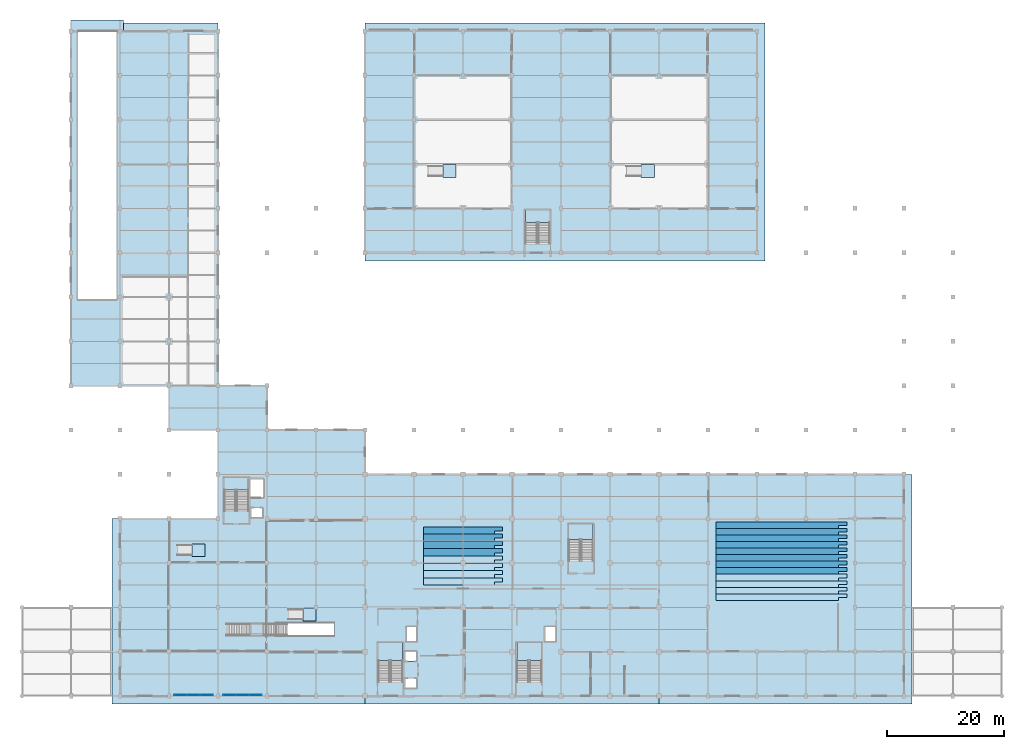
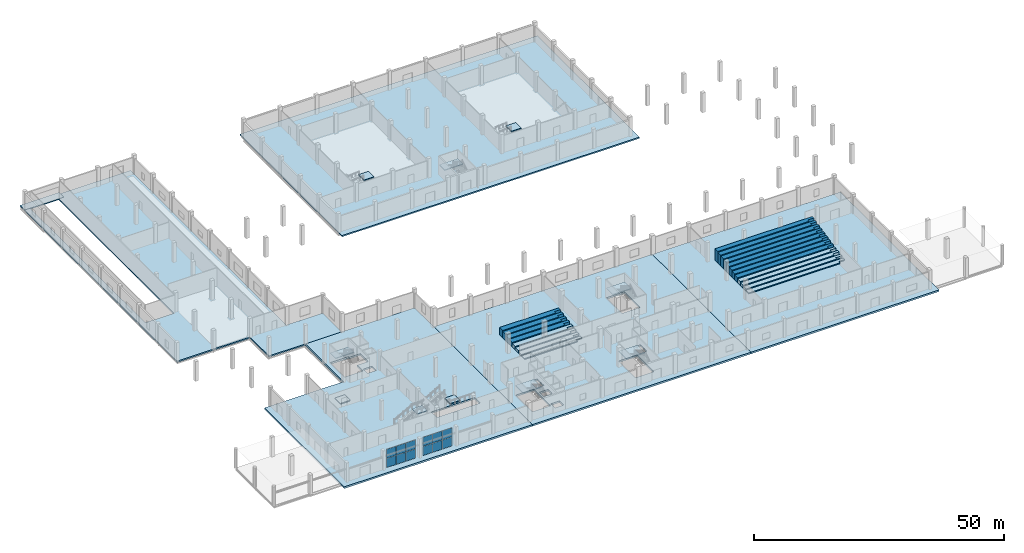
# One storey, part 11 of 36: 36 slabs, 12 plates, 8 elements without a shape of their own.
"""IFC4 building model written with IfcOpenShell, lengths in metres."""

from ifc_helpers import new_model, si_unit, direction, frame, origin, origin_2d, place, context, subcontext, project, spatial, polyline, rectangle, outline, extrude, material, layer, layer_set, type_object, element, aggregate, save


model = new_model("IFC4")

# Units and contexts
model_context = context("Model", 3, precision=1e-05, world=origin(), true_north=direction((0.0, 1.0)))
body_context = subcontext(model_context, "Body", "Model", "MODEL_VIEW")
ifc_project = project(units=[si_unit("LENGTHUNIT", "METRE"), si_unit("AREAUNIT", "SQUARE_METRE"), si_unit("VOLUMEUNIT", "CUBIC_METRE"), si_unit("PLANEANGLEUNIT", "RADIAN"), si_unit("MASSUNIT", "GRAM", prefix="KILO")], contexts=[model_context])

# Site, building, storey
site_placement = place(None, origin())
site = spatial("IfcSite", under=ifc_project, at=site_placement, CompositionType="ELEMENT")
building_placement = place(site_placement, origin())
building = spatial("IfcBuilding", under=site, at=building_placement, Name="Zuvorla Pavilion Media Centre", CompositionType="ELEMENT")
storey_placement = place(building_placement, origin())
storey = spatial("IfcBuildingStorey", under=building, at=storey_placement, Name="L00", CompositionType="ELEMENT", Elevation=0.0)

# Curtain wall, plates
ifc_material_1 = material(Name="Unitised anodised aluminium and solar glass curtain wall", Category="aluminium")
curtain_wall_type = type_object("IfcCurtainWallType", Name="CW-SYS-85", PredefinedType="USERDEFINED", material=ifc_material_1)
curtain_wall_1_placement = place(storey_placement, origin())
curtain_wall_1 = element("IfcCurtainWall", 1, at=curtain_wall_1_placement, inside=storey, type_object=curtain_wall_type, Name="L00 curtain wall CW85 194", ObjectType="CURTAIN WALL", PredefinedType="USERDEFINED")
ifc_material_2 = material(Name="Acoustic laminated solar glazing", Category="glass")
ifc_layer_1 = layer(ifc_material_2, 0.033935546875)
ifc_layer_set_1 = layer_set([ifc_layer_1], Name="Acoustic laminated solar glazing")
plate_type = type_object("IfcPlateType", Name="CW-PNL-34", PredefinedType="CURTAIN_PANEL", material=ifc_layer_set_1)
plate_1_placement = place(storey_placement, frame((35.173828125, 6.159912109375, 0.02978515625), z_axis=(0.0, 0.0, 1.0), x_axis=(1.0, 0.0, 0.0)))
plate_1 = element("IfcPlate", 2, at=plate_1_placement, type_object=plate_type, Name="CW85 panel 1.1", PredefinedType="CURTAIN_PANEL", context=body_context, shape_type="SweptSolid", body=[
    extrude(rectangle(XDim=2.166015625, YDim=0.033935546875, at=origin_2d()), origin(), (0.0, 0.0, 1.0), 2.199951171875),
])
plate_2_placement = place(storey_placement, frame((35.173828125, 6.159912109375, 2.2900390625), z_axis=(0.0, 0.0, 1.0), x_axis=(1.0, 0.0, 0.0)))
plate_2 = element("IfcPlate", 3, at=plate_2_placement, type_object=plate_type, Name="CW85 panel 1.2", PredefinedType="CURTAIN_PANEL", context=body_context, shape_type="SweptSolid", body=[
    extrude(rectangle(XDim=2.166015625, YDim=0.033935546875, at=origin_2d()), origin(), (0.0, 0.0, 1.0), 2.199951171875),
])
plate_3_placement = place(storey_placement, frame((37.39990234375, 6.159912109375, 0.02978515625), z_axis=(0.0, 0.0, 1.0), x_axis=(1.0, 0.0, 0.0)))
plate_3 = element("IfcPlate", 4, at=plate_3_placement, type_object=plate_type, Name="CW85 panel 2.1", PredefinedType="CURTAIN_PANEL", context=body_context, shape_type="SweptSolid", body=[
    extrude(rectangle(XDim=2.166015625, YDim=0.033935546875, at=origin_2d()), origin(), (0.0, 0.0, 1.0), 2.199951171875),
])
plate_4_placement = place(storey_placement, frame((37.39990234375, 6.159912109375, 2.2900390625), z_axis=(0.0, 0.0, 1.0), x_axis=(1.0, 0.0, 0.0)))
plate_4 = element("IfcPlate", 5, at=plate_4_placement, type_object=plate_type, Name="CW85 panel 2.2", PredefinedType="CURTAIN_PANEL", context=body_context, shape_type="SweptSolid", body=[
    extrude(rectangle(XDim=2.166015625, YDim=0.033935546875, at=origin_2d()), origin(), (0.0, 0.0, 1.0), 2.199951171875),
])
plate_5_placement = place(storey_placement, frame((39.626220703125, 6.159912109375, 0.02978515625), z_axis=(0.0, 0.0, 1.0), x_axis=(1.0, 0.0, 0.0)))
plate_5 = element("IfcPlate", 6, at=plate_5_placement, type_object=plate_type, Name="CW85 panel 3.1", PredefinedType="CURTAIN_PANEL", context=body_context, shape_type="SweptSolid", body=[
    extrude(rectangle(XDim=2.166015625, YDim=0.033935546875, at=origin_2d()), origin(), (0.0, 0.0, 1.0), 2.199951171875),
])
plate_6_placement = place(storey_placement, frame((39.626220703125, 6.159912109375, 2.2900390625), z_axis=(0.0, 0.0, 1.0), x_axis=(1.0, 0.0, 0.0)))
plate_6 = element("IfcPlate", 7, at=plate_6_placement, type_object=plate_type, Name="CW85 panel 3.2", PredefinedType="CURTAIN_PANEL", context=body_context, shape_type="SweptSolid", body=[
    extrude(rectangle(XDim=2.166015625, YDim=0.033935546875, at=origin_2d()), origin(), (0.0, 0.0, 1.0), 2.199951171875),
])
aggregate(curtain_wall_1, [plate_1, plate_2, plate_3, plate_4, plate_5, plate_6])

curtain_wall_2_placement = place(storey_placement, origin())
curtain_wall_2 = element("IfcCurtainWall", 8, at=curtain_wall_2_placement, inside=storey, type_object=curtain_wall_type, Name="L00 curtain wall CW85 195", ObjectType="CURTAIN WALL", PredefinedType="USERDEFINED")
plate_7_placement = place(storey_placement, frame((43.573974609375, 6.159912109375, 0.02978515625), z_axis=(0.0, 0.0, 1.0), x_axis=(1.0, 0.0, 0.0)))
plate_7 = element("IfcPlate", 9, at=plate_7_placement, type_object=plate_type, Name="CW85 panel 1.1", PredefinedType="CURTAIN_PANEL", context=body_context, shape_type="SweptSolid", body=[
    extrude(rectangle(XDim=2.166015625, YDim=0.033935546875, at=origin_2d()), origin(), (0.0, 0.0, 1.0), 2.199951171875),
])
plate_8_placement = place(storey_placement, frame((43.573974609375, 6.159912109375, 2.2900390625), z_axis=(0.0, 0.0, 1.0), x_axis=(1.0, 0.0, 0.0)))
plate_8 = element("IfcPlate", 10, at=plate_8_placement, type_object=plate_type, Name="CW85 panel 1.2", PredefinedType="CURTAIN_PANEL", context=body_context, shape_type="SweptSolid", body=[
    extrude(rectangle(XDim=2.166015625, YDim=0.033935546875, at=origin_2d()), origin(), (0.0, 0.0, 1.0), 2.199951171875),
])
plate_9_placement = place(storey_placement, frame((45.800048828125, 6.159912109375, 0.02978515625), z_axis=(0.0, 0.0, 1.0), x_axis=(1.0, 0.0, 0.0)))
plate_9 = element("IfcPlate", 11, at=plate_9_placement, type_object=plate_type, Name="CW85 panel 2.1", PredefinedType="CURTAIN_PANEL", context=body_context, shape_type="SweptSolid", body=[
    extrude(rectangle(XDim=2.166015625, YDim=0.033935546875, at=origin_2d()), origin(), (0.0, 0.0, 1.0), 2.199951171875),
])
plate_10_placement = place(storey_placement, frame((45.800048828125, 6.159912109375, 2.2900390625), z_axis=(0.0, 0.0, 1.0), x_axis=(1.0, 0.0, 0.0)))
plate_10 = element("IfcPlate", 12, at=plate_10_placement, type_object=plate_type, Name="CW85 panel 2.2", PredefinedType="CURTAIN_PANEL", context=body_context, shape_type="SweptSolid", body=[
    extrude(rectangle(XDim=2.166015625, YDim=0.033935546875, at=origin_2d()), origin(), (0.0, 0.0, 1.0), 2.199951171875),
])
plate_11_placement = place(storey_placement, frame((48.026123046875, 6.159912109375, 0.02978515625), z_axis=(0.0, 0.0, 1.0), x_axis=(1.0, 0.0, 0.0)))
plate_11 = element("IfcPlate", 13, at=plate_11_placement, type_object=plate_type, Name="CW85 panel 3.1", PredefinedType="CURTAIN_PANEL", context=body_context, shape_type="SweptSolid", body=[
    extrude(rectangle(XDim=2.166015625, YDim=0.033935546875, at=origin_2d()), origin(), (0.0, 0.0, 1.0), 2.199951171875),
])
plate_12_placement = place(storey_placement, frame((48.026123046875, 6.159912109375, 2.2900390625), z_axis=(0.0, 0.0, 1.0), x_axis=(1.0, 0.0, 0.0)))
plate_12 = element("IfcPlate", 14, at=plate_12_placement, type_object=plate_type, Name="CW85 panel 3.2", PredefinedType="CURTAIN_PANEL", context=body_context, shape_type="SweptSolid", body=[
    extrude(rectangle(XDim=2.166015625, YDim=0.033935546875, at=origin_2d()), origin(), (0.0, 0.0, 1.0), 2.199951171875),
])
aggregate(curtain_wall_2, [plate_7, plate_8, plate_9, plate_10, plate_11, plate_12])

# Slabs
ifc_material_3 = material(Name="Precast concrete C40/50", Category="concrete")
ifc_layer_2 = layer(ifc_material_3, 0.239990234375)
ifc_layer_set_2 = layer_set([ifc_layer_2], Name="Precast concrete C40/50")
slab_type_1 = type_object("IfcSlabType", Name="SLB-DECK-240", PredefinedType="FLOOR", material=ifc_layer_set_2)
slab_1_placement = place(storey_placement, frame((0.0, 0.0, -0.239990234375)))
element("IfcSlab", 15, at=slab_1_placement, inside=storey, type_object=slab_type_1, Name="L00 floor slab APRON", PredefinedType="FLOOR", context=body_context, shape_type="SweptSolid", body=[
    extrude(outline(polyline([(25.39990234375, 120.0), (25.39990234375, 121.89990234375), (16.39990234375, 121.89990234375), (16.39990234375, 120.0), (25.39990234375, 120.0)])), origin(), (0.0, 0.0, 1.0), 0.239990234375),
])
ifc_material_4 = material(Name="Concrete C40/50", Category="concrete")
ifc_layer_3 = layer(ifc_material_4, 0.320068359375)
ifc_layer_set_3 = layer_set([ifc_layer_3], Name="Concrete C40/50")
slab_type_2 = type_object("IfcSlabType", Name="SLB-FLR-320", PredefinedType="FLOOR", material=ifc_layer_set_3)
slab_2_placement = place(storey_placement, frame((0.0, 0.0, -0.320068359375)))
element("IfcSlab", 16, at=slab_2_placement, inside=storey, type_object=slab_type_2, Name="L00 floor slab NW", PredefinedType="FLOOR", context=body_context, shape_type="SweptSolid", body=[
    extrude(outline(polyline([(50.0, 59.199951171875), (50.0, 51.60009765625), (33.199951171875, 51.60009765625), (33.199951171875, 59.199951171875), (16.39990234375, 59.199951171875), (16.39990234375, 120.0), (17.60009765625, 120.0), (17.60009765625, 74.0), (24.199951171875, 74.0), (24.199951171875, 120.0), (25.39990234375, 120.0), (25.39990234375, 121.39990234375), (41.60009765625, 121.39990234375), (41.60009765625, 59.199951171875), (50.0, 59.199951171875)])), origin(), (0.0, 0.0, 1.0), 0.320068359375),
])
slab_3_placement = place(storey_placement, frame((0.0, 0.0, -0.320068359375)))
element("IfcSlab", 17, at=slab_3_placement, inside=storey, type_object=slab_type_2, Name="L00 floor slab NB", PredefinedType="FLOOR", context=body_context, shape_type="SweptSolid", body=[
    extrude(outline(polyline([(135.39990234375, 80.60009765625), (135.39990234375, 121.39990234375), (66.800048828125, 121.39990234375), (66.800048828125, 80.60009765625), (135.39990234375, 80.60009765625)])), origin(), (0.0, 0.0, 1.0), 0.320068359375),
])
ifc_layer_4 = layer(ifc_material_4, 0.419921875)
ifc_layer_set_4 = layer_set([ifc_layer_4], Name="Concrete C40/50")
slab_type_3 = type_object("IfcSlabType", Name="SLB-FLR-400", PredefinedType="FLOOR", material=ifc_layer_set_4)
slab_4_placement = place(storey_placement, frame((0.0, 0.0, -0.419921875)))
element("IfcSlab", 18, at=slab_4_placement, inside=storey, type_object=slab_type_3, Name="L00 floor slab CB", PredefinedType="FLOOR", context=body_context, shape_type="SweptSolid", body=[
    extrude(outline(polyline([(66.800048828125, 4.60009765625), (66.800048828125, 44.0), (117.199951171875, 44.0), (117.199951171875, 4.60009765625), (66.800048828125, 4.60009765625)]), holes=[polyline([(73.669921875, 7.3701171875), (75.6298828125, 7.3701171875), (75.6298828125, 9.030029296875), (73.669921875, 9.030029296875), (73.669921875, 7.3701171875)]), polyline([(69.050048828125, 15.14990234375), (69.050048828125, 8.449951171875), (73.25, 8.449951171875), (73.25, 15.14990234375), (69.050048828125, 15.14990234375)]), polyline([(92.85009765625, 15.14990234375), (92.85009765625, 8.449951171875), (97.050048828125, 8.449951171875), (97.050048828125, 15.14990234375), (92.85009765625, 15.14990234375)]), polyline([(73.669921875, 13.6298828125), (73.669921875, 11.969970703125), (75.6298828125, 11.969970703125), (75.6298828125, 13.6298828125), (73.669921875, 13.6298828125)]), polyline([(73.8701171875, 17.8798828125), (73.8701171875, 15.320068359375), (75.6298828125, 15.320068359375), (75.6298828125, 17.8798828125), (73.8701171875, 17.8798828125)]), polyline([(97.669921875, 17.8798828125), (97.669921875, 15.320068359375), (99.429931640625, 15.320068359375), (99.429931640625, 17.8798828125), (97.669921875, 17.8798828125)]), polyline([(101.699951171875, 35.449951171875), (101.699951171875, 29.199951171875), (105.89990234375, 29.199951171875), (105.89990234375, 35.449951171875), (101.699951171875, 35.449951171875)])]), origin(), (0.0, 0.0, 1.0), 0.419921875),
])
slab_5_placement = place(storey_placement, frame((0.0, 0.0, -0.419921875)))
element("IfcSlab", 19, at=slab_5_placement, inside=storey, type_object=slab_type_3, Name="L00 floor slab SW", PredefinedType="FLOOR", context=body_context, shape_type="SweptSolid", body=[
    extrude(outline(polyline([(23.39990234375, 4.60009765625), (23.39990234375, 36.39990234375), (41.60009765625, 36.39990234375), (41.60009765625, 51.60009765625), (66.800048828125, 51.60009765625), (66.800048828125, 36.39990234375), (66.800048828125, 4.60009765625), (23.39990234375, 4.60009765625)]), holes=[polyline([(51.550048828125, 16.300048828125), (61.5400390625, 16.300048828125), (61.5400390625, 18.5), (51.550048828125, 18.5), (51.550048828125, 16.300048828125)]), polyline([(47.27001953125, 36.570068359375), (49.22998046875, 36.570068359375), (49.22998046875, 38.22998046875), (47.27001953125, 38.22998046875), (47.27001953125, 36.570068359375)]), polyline([(46.85009765625, 37.699951171875), (46.85009765625, 40.02001953125), (49.3798828125, 40.02001953125), (49.3798828125, 43.179931640625), (46.85009765625, 43.179931640625), (46.85009765625, 43.449951171875), (42.64990234375, 43.449951171875), (42.64990234375, 37.699951171875), (46.85009765625, 37.699951171875)])]), origin(), (0.0, 0.0, 1.0), 0.419921875),
])
slab_6_placement = place(storey_placement, frame((0.0, 0.0, -0.419921875)))
element("IfcSlab", 20, at=slab_6_placement, inside=storey, type_object=slab_type_3, Name="L00 floor slab SE", PredefinedType="FLOOR", context=body_context, shape_type="SweptSolid", body=[
    extrude(outline(polyline([(160.60009765625, 4.60009765625), (160.60009765625, 44.0), (117.199951171875, 44.0), (117.199951171875, 4.60009765625), (160.60009765625, 4.60009765625)])), origin(), (0.0, 0.0, 1.0), 0.419921875),
])

# Stair, slab
stair_type_1 = type_object("IfcStairType", Name="STR-DOG-480", PredefinedType="TWO_STRAIGHT_RUN_STAIR", material=ifc_material_4)
stair_1_placement = place(storey_placement, origin())
stair_1 = element("IfcStair", 21, at=stair_1_placement, inside=storey, type_object=stair_type_1, Name="L00 exit stair ST-01", PredefinedType="TWO_STRAIGHT_RUN_STAIR")
ifc_layer_5 = layer(ifc_material_4, 0.199951171875)
ifc_layer_set_5 = layer_set([ifc_layer_5], Name="Concrete C40/50")
slab_type_4 = type_object("IfcSlabType", Name="SLB-LND-200", PredefinedType="LANDING", material=ifc_layer_set_5)
slab_7_placement = place(storey_placement, frame((0.0, 0.0, 2.199951171875)))
slab_7 = element("IfcSlab", 22, at=slab_7_placement, type_object=slab_type_4, Name="ST-01 landing 1", PredefinedType="LANDING", context=body_context, shape_type="SweptSolid", body=[
    extrude(outline(polyline([(69.030029296875, 12.070068359375), (73.27001953125, 12.070068359375), (73.27001953125, 15.169921875), (69.030029296875, 15.169921875), (69.030029296875, 12.070068359375)])), origin(), (0.0, 0.0, 1.0), 0.199951171875),
])
aggregate(stair_1, [slab_7])

stair_2_placement = place(storey_placement, origin())
stair_2 = element("IfcStair", 23, at=stair_2_placement, inside=storey, type_object=stair_type_1, Name="L00 exit stair ST-02", PredefinedType="TWO_STRAIGHT_RUN_STAIR")
slab_8_placement = place(storey_placement, frame((0.0, 0.0, 2.199951171875)))
slab_8 = element("IfcSlab", 24, at=slab_8_placement, type_object=slab_type_4, Name="ST-02 landing 1", PredefinedType="LANDING", context=body_context, shape_type="SweptSolid", body=[
    extrude(outline(polyline([(92.830078125, 12.070068359375), (97.070068359375, 12.070068359375), (97.070068359375, 15.169921875), (92.830078125, 15.169921875), (92.830078125, 12.070068359375)])), origin(), (0.0, 0.0, 1.0), 0.199951171875),
])
aggregate(stair_2, [slab_8])

stair_3_placement = place(storey_placement, origin())
stair_3 = element("IfcStair", 25, at=stair_3_placement, inside=storey, type_object=stair_type_1, Name="L00 exit stair ST-03", PredefinedType="TWO_STRAIGHT_RUN_STAIR")
slab_9_placement = place(storey_placement, frame((0.0, 0.0, 2.199951171875)))
slab_9 = element("IfcSlab", 26, at=slab_9_placement, type_object=slab_type_4, Name="ST-03 landing 1", PredefinedType="LANDING", context=body_context, shape_type="SweptSolid", body=[
    extrude(outline(polyline([(42.6298828125, 41.320068359375), (46.8701171875, 41.320068359375), (46.8701171875, 43.469970703125), (42.6298828125, 43.469970703125), (42.6298828125, 41.320068359375)])), origin(), (0.0, 0.0, 1.0), 0.199951171875),
])
aggregate(stair_3, [slab_9])

stair_4_placement = place(storey_placement, origin())
stair_4 = element("IfcStair", 27, at=stair_4_placement, inside=storey, type_object=stair_type_1, Name="L00 exit stair ST-04", PredefinedType="TWO_STRAIGHT_RUN_STAIR")
slab_10_placement = place(storey_placement, frame((0.0, 0.0, 2.199951171875)))
slab_10 = element("IfcSlab", 28, at=slab_10_placement, type_object=slab_type_4, Name="ST-04 landing 1", PredefinedType="LANDING", context=body_context, shape_type="SweptSolid", body=[
    extrude(outline(polyline([(101.679931640625, 32.820068359375), (105.919921875, 32.820068359375), (105.919921875, 35.469970703125), (101.679931640625, 35.469970703125), (101.679931640625, 32.820068359375)])), origin(), (0.0, 0.0, 1.0), 0.199951171875),
])
aggregate(stair_4, [slab_10])

stair_5_placement = place(storey_placement, origin())
stair_5 = element("IfcStair", 29, at=stair_5_placement, inside=storey, type_object=stair_type_1, Name="L00 exit stair ST-05", PredefinedType="TWO_STRAIGHT_RUN_STAIR")
slab_11_placement = place(storey_placement, frame((0.0, 0.0, 2.199951171875)))
slab_11 = element("IfcSlab", 30, at=slab_11_placement, type_object=slab_type_4, Name="ST-05 landing 1", PredefinedType="LANDING", context=body_context, shape_type="SweptSolid", body=[
    extrude(outline(polyline([(94.280029296875, 87.169921875), (98.52001953125, 87.169921875), (98.52001953125, 89.320068359375), (94.280029296875, 89.320068359375), (94.280029296875, 87.169921875)])), origin(), (0.0, 0.0, 1.0), 0.199951171875),
])
aggregate(stair_5, [slab_11])

stair_type_2 = type_object("IfcStairType", Name="STR-FEA-07", PredefinedType="STRAIGHT_RUN_STAIR", material=ifc_material_3)
stair_6_placement = place(storey_placement, origin())
stair_6 = element("IfcStair", 31, at=stair_6_placement, inside=storey, type_object=stair_type_2, Name="L00 feature stair ST-07", PredefinedType="STRAIGHT_RUN_STAIR")
slab_12_placement = place(storey_placement, frame((0.0, 0.0, 2.199951171875)))
slab_12 = element("IfcSlab", 32, at=slab_12_placement, type_object=slab_type_4, Name="ST-07 landing 1", PredefinedType="LANDING", context=body_context, shape_type="SweptSolid", body=[
    extrude(outline(polyline([(47.0400390625, 16.35009765625), (49.3798828125, 16.35009765625), (49.3798828125, 18.449951171875), (47.0400390625, 18.449951171875), (47.0400390625, 16.35009765625)])), origin(), (0.0, 0.0, 1.0), 0.199951171875),
])
aggregate(stair_6, [slab_12])

# Slabs
slab_13_placement = place(storey_placement, origin())
element("IfcSlab", 33, at=slab_13_placement, inside=storey, type_object=slab_type_4, Name="L00 stage dais RMP-ACC-01", PredefinedType="FLOOR", context=body_context, shape_type="SweptSolid", body=[
    extrude(outline(polyline([(37.139892578125, 29.89990234375), (39.39990234375, 29.89990234375), (39.39990234375, 32.10009765625), (37.139892578125, 32.10009765625), (37.139892578125, 29.89990234375)])), origin(), (0.0, 0.0, 1.0), 0.2099609375),
])
slab_14_placement = place(storey_placement, origin())
element("IfcSlab", 34, at=slab_14_placement, inside=storey, type_object=slab_type_4, Name="L00 stage dais RMP-ACC-02", PredefinedType="FLOOR", context=body_context, shape_type="SweptSolid", body=[
    extrude(outline(polyline([(56.139892578125, 18.89990234375), (58.39990234375, 18.89990234375), (58.39990234375, 21.10009765625), (56.139892578125, 21.10009765625), (56.139892578125, 18.89990234375)])), origin(), (0.0, 0.0, 1.0), 0.2099609375),
])
slab_15_placement = place(storey_placement, origin())
element("IfcSlab", 35, at=slab_15_placement, inside=storey, type_object=slab_type_4, Name="L00 stage dais RMP-ACC-03", PredefinedType="FLOOR", context=body_context, shape_type="SweptSolid", body=[
    extrude(outline(polyline([(80.139892578125, 94.89990234375), (82.39990234375, 94.89990234375), (82.39990234375, 97.10009765625), (80.139892578125, 97.10009765625), (80.139892578125, 94.89990234375)])), origin(), (0.0, 0.0, 1.0), 0.2099609375),
])
slab_16_placement = place(storey_placement, origin())
element("IfcSlab", 36, at=slab_16_placement, inside=storey, type_object=slab_type_4, Name="L00 stage dais RMP-ACC-04", PredefinedType="FLOOR", context=body_context, shape_type="SweptSolid", body=[
    extrude(outline(polyline([(114.139892578125, 94.89990234375), (116.39990234375, 94.89990234375), (116.39990234375, 97.10009765625), (114.139892578125, 97.10009765625), (114.139892578125, 94.89990234375)])), origin(), (0.0, 0.0, 1.0), 0.2099609375),
])
ifc_layer_6 = layer(ifc_material_3, 0.14990234375)
ifc_layer_set_6 = layer_set([ifc_layer_6], Name="Precast concrete C40/50")
slab_type_5 = type_object("IfcSlabType", Name="SLB-TIER-150", PredefinedType="USERDEFINED", material=ifc_layer_set_6)
slab_17_placement = place(storey_placement, origin())
element("IfcSlab", 37, at=slab_17_placement, inside=storey, type_object=slab_type_5, Name="L00 SCR2 seating tier 1", ObjectType="SEATING TIER", PredefinedType="USERDEFINED", context=body_context, shape_type="SweptSolid", body=[
    extrude(outline(polyline([(76.800048828125, 25.0), (89.0, 25.0), (89.0, 25.5625), (90.39990234375, 25.5625), (90.39990234375, 26.25), (76.800048828125, 26.25), (76.800048828125, 25.0)])), origin(), (0.0, 0.0, 1.0), 0.219970703125),
])
slab_18_placement = place(storey_placement, origin())
element("IfcSlab", 38, at=slab_18_placement, inside=storey, type_object=slab_type_5, Name="L00 SCR2 seating tier 2", ObjectType="SEATING TIER", PredefinedType="USERDEFINED", context=body_context, shape_type="SweptSolid", body=[
    extrude(outline(polyline([(76.800048828125, 26.25), (89.0, 26.25), (89.0, 26.8125), (90.39990234375, 26.8125), (90.39990234375, 27.5), (76.800048828125, 27.5), (76.800048828125, 26.25)])), origin(), (0.0, 0.0, 1.0), 0.43994140625),
])
slab_19_placement = place(storey_placement, origin())
element("IfcSlab", 39, at=slab_19_placement, inside=storey, type_object=slab_type_5, Name="L00 SCR2 seating tier 3", ObjectType="SEATING TIER", PredefinedType="USERDEFINED", context=body_context, shape_type="SweptSolid", body=[
    extrude(outline(polyline([(76.800048828125, 27.5), (89.0, 27.5), (89.0, 28.0625), (90.39990234375, 28.0625), (90.39990234375, 28.75), (76.800048828125, 28.75), (76.800048828125, 27.5)])), origin(), (0.0, 0.0, 1.0), 0.659912109375),
])
slab_20_placement = place(storey_placement, origin())
element("IfcSlab", 40, at=slab_20_placement, inside=storey, type_object=slab_type_5, Name="L00 SCR2 seating tier 4", ObjectType="SEATING TIER", PredefinedType="USERDEFINED", context=body_context, shape_type="SweptSolid", body=[
    extrude(outline(polyline([(76.800048828125, 28.75), (89.0, 28.75), (89.0, 29.3125), (90.39990234375, 29.3125), (90.39990234375, 30.0), (76.800048828125, 30.0), (76.800048828125, 28.75)])), origin(), (0.0, 0.0, 1.0), 0.8798828125),
])
slab_21_placement = place(storey_placement, origin())
element("IfcSlab", 41, at=slab_21_placement, inside=storey, type_object=slab_type_5, Name="L00 SCR2 seating tier 5", ObjectType="SEATING TIER", PredefinedType="USERDEFINED", context=body_context, shape_type="SweptSolid", body=[
    extrude(outline(polyline([(76.800048828125, 30.0), (89.0, 30.0), (89.0, 30.5625), (90.39990234375, 30.5625), (90.39990234375, 31.25), (76.800048828125, 31.25), (76.800048828125, 30.0)])), origin(), (0.0, 0.0, 1.0), 1.10009765625),
])
slab_22_placement = place(storey_placement, origin())
element("IfcSlab", 42, at=slab_22_placement, inside=storey, type_object=slab_type_5, Name="L00 SCR2 seating tier 6", ObjectType="SEATING TIER", PredefinedType="USERDEFINED", context=body_context, shape_type="SweptSolid", body=[
    extrude(outline(polyline([(76.800048828125, 31.25), (89.0, 31.25), (89.0, 31.8125), (90.39990234375, 31.8125), (90.39990234375, 32.5), (76.800048828125, 32.5), (76.800048828125, 31.25)])), origin(), (0.0, 0.0, 1.0), 1.320068359375),
])
slab_23_placement = place(storey_placement, origin())
element("IfcSlab", 43, at=slab_23_placement, inside=storey, type_object=slab_type_5, Name="L00 SCR2 seating tier 7", ObjectType="SEATING TIER", PredefinedType="USERDEFINED", context=body_context, shape_type="SweptSolid", body=[
    extrude(outline(polyline([(76.800048828125, 32.5), (89.0, 32.5), (89.0, 33.0625), (90.39990234375, 33.0625), (90.39990234375, 33.75), (76.800048828125, 33.75), (76.800048828125, 32.5)])), origin(), (0.0, 0.0, 1.0), 1.5400390625),
])
slab_24_placement = place(storey_placement, origin())
element("IfcSlab", 44, at=slab_24_placement, inside=storey, type_object=slab_type_5, Name="L00 SCR2 seating tier 8", ObjectType="SEATING TIER", PredefinedType="USERDEFINED", context=body_context, shape_type="SweptSolid", body=[
    extrude(outline(polyline([(76.800048828125, 33.75), (89.0, 33.75), (89.0, 34.3125), (90.39990234375, 34.3125), (90.39990234375, 35.0), (76.800048828125, 35.0), (76.800048828125, 33.75)])), origin(), (0.0, 0.0, 1.0), 1.760009765625),
])
ifc_layer_7 = layer(ifc_material_3, 0.169921875)
ifc_layer_set_7 = layer_set([ifc_layer_7], Name="Precast concrete C40/50")
slab_type_6 = type_object("IfcSlabType", Name="SLB-TIER-170", PredefinedType="USERDEFINED", material=ifc_layer_set_7)
slab_25_placement = place(storey_placement, origin())
element("IfcSlab", 45, at=slab_25_placement, inside=storey, type_object=slab_type_6, Name="L00 SCR1 seating tier 1", ObjectType="SEATING TIER", PredefinedType="USERDEFINED", context=body_context, shape_type="SweptSolid", body=[
    extrude(outline(polyline([(127.0, 22.39990234375), (148.0, 22.39990234375), (148.0, 22.904052734375), (149.39990234375, 22.904052734375), (149.39990234375, 23.52001953125), (127.0, 23.52001953125), (127.0, 22.39990234375)])), origin(), (0.0, 0.0, 1.0), 0.239990234375),
])
slab_26_placement = place(storey_placement, origin())
element("IfcSlab", 46, at=slab_26_placement, inside=storey, type_object=slab_type_6, Name="L00 SCR1 seating tier 2", ObjectType="SEATING TIER", PredefinedType="USERDEFINED", context=body_context, shape_type="SweptSolid", body=[
    extrude(outline(polyline([(127.0, 23.52001953125), (148.0, 23.52001953125), (148.0, 24.02392578125), (149.39990234375, 24.02392578125), (149.39990234375, 24.639892578125), (127.0, 24.639892578125), (127.0, 23.52001953125)])), origin(), (0.0, 0.0, 1.0), 0.47998046875),
])
slab_27_placement = place(storey_placement, origin())
element("IfcSlab", 47, at=slab_27_placement, inside=storey, type_object=slab_type_6, Name="L00 SCR1 seating tier 3", ObjectType="SEATING TIER", PredefinedType="USERDEFINED", context=body_context, shape_type="SweptSolid", body=[
    extrude(outline(polyline([(127.0, 24.639892578125), (148.0, 24.639892578125), (148.0, 25.14404296875), (149.39990234375, 25.14404296875), (149.39990234375, 25.760009765625), (127.0, 25.760009765625), (127.0, 24.639892578125)])), origin(), (0.0, 0.0, 1.0), 0.719970703125),
])
slab_28_placement = place(storey_placement, origin())
element("IfcSlab", 48, at=slab_28_placement, inside=storey, type_object=slab_type_6, Name="L00 SCR1 seating tier 4", ObjectType="SEATING TIER", PredefinedType="USERDEFINED", context=body_context, shape_type="SweptSolid", body=[
    extrude(outline(polyline([(127.0, 25.760009765625), (148.0, 25.760009765625), (148.0, 26.263916015625), (149.39990234375, 26.263916015625), (149.39990234375, 26.8798828125), (127.0, 26.8798828125), (127.0, 25.760009765625)])), origin(), (0.0, 0.0, 1.0), 0.9599609375),
])
slab_29_placement = place(storey_placement, origin())
element("IfcSlab", 49, at=slab_29_placement, inside=storey, type_object=slab_type_6, Name="L00 SCR1 seating tier 5", ObjectType="SEATING TIER", PredefinedType="USERDEFINED", context=body_context, shape_type="SweptSolid", body=[
    extrude(outline(polyline([(127.0, 26.8798828125), (148.0, 26.8798828125), (148.0, 27.384033203125), (149.39990234375, 27.384033203125), (149.39990234375, 28.0), (127.0, 28.0), (127.0, 26.8798828125)])), origin(), (0.0, 0.0, 1.0), 1.199951171875),
])
slab_30_placement = place(storey_placement, origin())
element("IfcSlab", 50, at=slab_30_placement, inside=storey, type_object=slab_type_6, Name="L00 SCR1 seating tier 6", ObjectType="SEATING TIER", PredefinedType="USERDEFINED", context=body_context, shape_type="SweptSolid", body=[
    extrude(outline(polyline([(127.0, 28.0), (148.0, 28.0), (148.0, 28.50390625), (149.39990234375, 28.50390625), (149.39990234375, 29.1201171875), (127.0, 29.1201171875), (127.0, 28.0)])), origin(), (0.0, 0.0, 1.0), 1.43994140625),
])
slab_31_placement = place(storey_placement, origin())
element("IfcSlab", 51, at=slab_31_placement, inside=storey, type_object=slab_type_6, Name="L00 SCR1 seating tier 7", ObjectType="SEATING TIER", PredefinedType="USERDEFINED", context=body_context, shape_type="SweptSolid", body=[
    extrude(outline(polyline([(127.0, 29.1201171875), (148.0, 29.1201171875), (148.0, 29.6240234375), (149.39990234375, 29.6240234375), (149.39990234375, 30.239990234375), (127.0, 30.239990234375), (127.0, 29.1201171875)])), origin(), (0.0, 0.0, 1.0), 1.679931640625),
])
slab_32_placement = place(storey_placement, origin())
element("IfcSlab", 52, at=slab_32_placement, inside=storey, type_object=slab_type_6, Name="L00 SCR1 seating tier 8", ObjectType="SEATING TIER", PredefinedType="USERDEFINED", context=body_context, shape_type="SweptSolid", body=[
    extrude(outline(polyline([(127.0, 30.239990234375), (148.0, 30.239990234375), (148.0, 30.743896484375), (149.39990234375, 30.743896484375), (149.39990234375, 31.360107421875), (127.0, 31.360107421875), (127.0, 30.239990234375)])), origin(), (0.0, 0.0, 1.0), 1.919921875),
])
slab_33_placement = place(storey_placement, origin())
element("IfcSlab", 53, at=slab_33_placement, inside=storey, type_object=slab_type_6, Name="L00 SCR1 seating tier 9", ObjectType="SEATING TIER", PredefinedType="USERDEFINED", context=body_context, shape_type="SweptSolid", body=[
    extrude(outline(polyline([(127.0, 31.360107421875), (148.0, 31.360107421875), (148.0, 31.864013671875), (149.39990234375, 31.864013671875), (149.39990234375, 32.47998046875), (127.0, 32.47998046875), (127.0, 31.360107421875)])), origin(), (0.0, 0.0, 1.0), 2.159912109375),
])
slab_34_placement = place(storey_placement, origin())
element("IfcSlab", 54, at=slab_34_placement, inside=storey, type_object=slab_type_6, Name="L00 SCR1 seating tier 10", ObjectType="SEATING TIER", PredefinedType="USERDEFINED", context=body_context, shape_type="SweptSolid", body=[
    extrude(outline(polyline([(127.0, 32.47998046875), (148.0, 32.47998046875), (148.0, 32.98388671875), (149.39990234375, 32.98388671875), (149.39990234375, 33.60009765625), (127.0, 33.60009765625), (127.0, 32.47998046875)])), origin(), (0.0, 0.0, 1.0), 2.39990234375),
])
slab_35_placement = place(storey_placement, origin())
element("IfcSlab", 55, at=slab_35_placement, inside=storey, type_object=slab_type_6, Name="L00 SCR1 seating tier 11", ObjectType="SEATING TIER", PredefinedType="USERDEFINED", context=body_context, shape_type="SweptSolid", body=[
    extrude(outline(polyline([(127.0, 33.60009765625), (148.0, 33.60009765625), (148.0, 34.10400390625), (149.39990234375, 34.10400390625), (149.39990234375, 34.719970703125), (127.0, 34.719970703125), (127.0, 33.60009765625)])), origin(), (0.0, 0.0, 1.0), 2.639892578125),
])
slab_36_placement = place(storey_placement, origin())
element("IfcSlab", 56, at=slab_36_placement, inside=storey, type_object=slab_type_6, Name="L00 SCR1 seating tier 12", ObjectType="SEATING TIER", PredefinedType="USERDEFINED", context=body_context, shape_type="SweptSolid", body=[
    extrude(outline(polyline([(127.0, 34.719970703125), (148.0, 34.719970703125), (148.0, 35.22412109375), (149.39990234375, 35.22412109375), (149.39990234375, 35.840087890625), (127.0, 35.840087890625), (127.0, 34.719970703125)])), origin(), (0.0, 0.0, 1.0), 2.8798828125),
])

save(model, "model.ifc")
